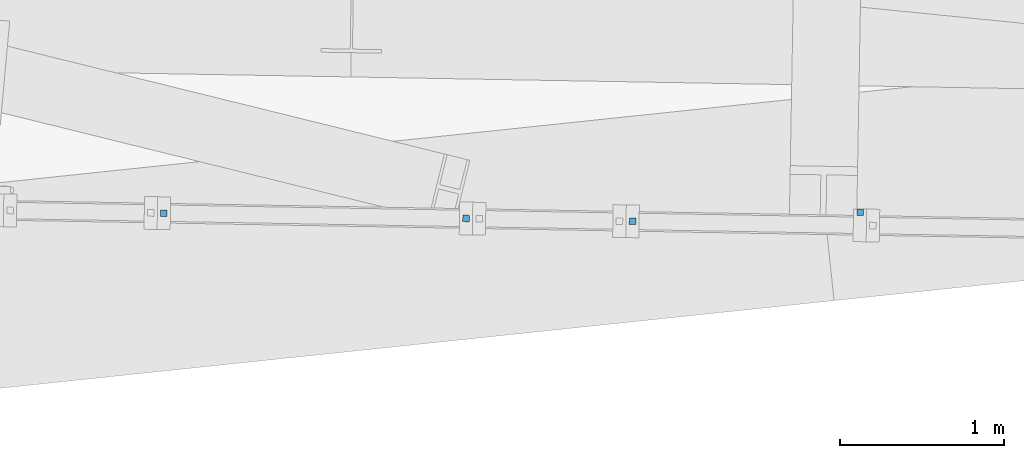
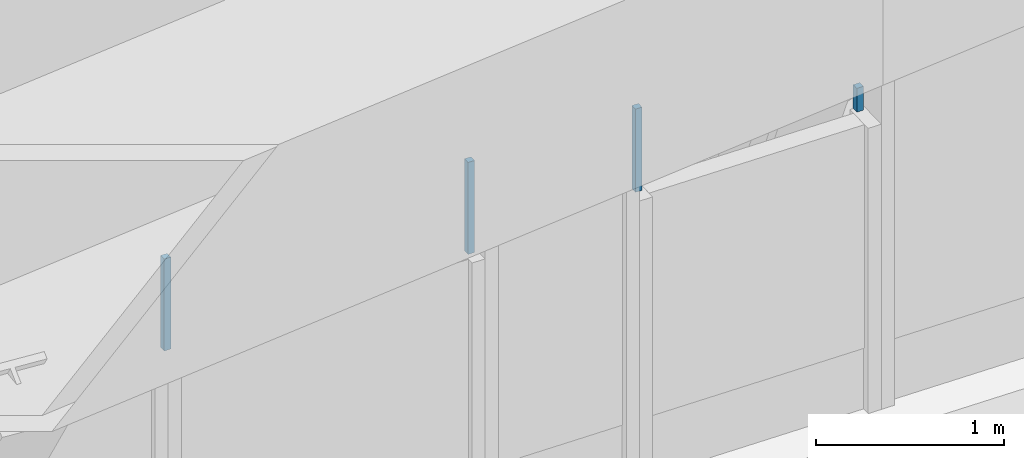
# One storey, part 20 of 28: 4 discrete accessories.
"""IFC4 building model written with IfcOpenShell, lengths in metres."""

import ifcopenshell
import ifcopenshell.guid

model = None  # the IFC model being written
_history = None  # IfcOwnerHistory: only IFC2X3 demands one
_inside = {}  # id of a spatial element -> (the spatial element, [elements in it])
_under = {}  # id of a project, library or spatial element -> (it, [spatial elements below it])
_declared = {}  # id of a project -> (the project, [libraries it declares])
_typed = {}  # id of a type object -> (the type object, [elements of that type])
_made_of = {}  # id of a material, layer set ... -> (it, [elements and type objects made of it])


def new_model(schema):
    """Start an empty IFC model of exactly this schema.

    Asked for "IFC4X3", IfcOpenShell would pick the latest addendum, in which some entities
    have other attributes; the version numbers below select the first issue.
    IFC2X3 requires an IfcOwnerHistory on every rooted entity: one is made here for all.
    """
    global model, _history
    if schema == "IFC4X3":
        model = ifcopenshell.file(schema_version=(4, 3, 0, 0))
    else:
        model = ifcopenshell.file(schema=schema)
    _inside.clear()
    _under.clear()
    _declared.clear()
    _typed.clear()
    _made_of.clear()
    _history = None
    if model.schema == "IFC2X3":
        org = make("IfcOrganization", Name="unknown")
        user = make(
            "IfcPersonAndOrganization",
            ThePerson=make("IfcPerson", FamilyName="unknown"),
            TheOrganization=org,
        )
        app = make(
            "IfcApplication",
            ApplicationDeveloper=org,
            Version="unknown",
            ApplicationFullName="unknown",
            ApplicationIdentifier="unknown",
        )
        _history = make(
            "IfcOwnerHistory",
            OwningUser=user,
            OwningApplication=app,
            ChangeAction="ADDED",
            CreationDate=0,
        )
    return model


def make(cls, **values):
    """One entity of the class cls with the attributes given. An attribute that is None is left unset."""
    return model.create_entity(
        cls, **{name: value for name, value in values.items() if value is not None}
    )


def rooted(cls, **values):
    """An entity with a GlobalId (a new one), such as an element, a storey or a relation."""
    return make(cls, GlobalId=ifcopenshell.guid.new(), OwnerHistory=_history, **values)


def si_unit(unit_type, name, prefix=None):
    """IfcSIUnit, for example si_unit("LENGTHUNIT", "METRE", prefix="MILLI")."""
    return make("IfcSIUnit", UnitType=unit_type, Prefix=prefix, Name=name)


def assignment(units):
    """IfcUnitAssignment: the units of a project."""
    return None if units is None else make("IfcUnitAssignment", Units=units)


def point(xyz):
    """IfcCartesianPoint."""
    return None if xyz is None else make("IfcCartesianPoint", Coordinates=xyz)


def direction(xyz):
    """IfcDirection."""
    return None if xyz is None else make("IfcDirection", DirectionRatios=xyz)


def frame(location, z_axis=None, x_axis=None):
    """IfcAxis2Placement3D, a coordinate frame: its origin and axes. An axis left out is left unset."""
    return make(
        "IfcAxis2Placement3D",
        Location=point(location),
        Axis=direction(z_axis),
        RefDirection=direction(x_axis),
    )


def frame_2d(location, x_axis=None):
    """IfcAxis2Placement2D, a coordinate frame in the plane: its origin and x axis."""
    return make(
        "IfcAxis2Placement2D", Location=point(location), RefDirection=direction(x_axis)
    )


def origin():
    """The frame at (0, 0, 0) with its axes left unset."""
    return frame((0.0, 0.0, 0.0))


def origin_2d():
    """The frame at (0, 0) in the plane with its x axis left unset."""
    return frame_2d((0.0, 0.0))


def place(relative_to, where):
    """IfcLocalPlacement: puts the frame where relative to a parent placement (None: the world)."""
    return make(
        "IfcLocalPlacement", PlacementRelTo=relative_to, RelativePlacement=where
    )


def context(
    kind, dimensions, precision=None, world=None, true_north=None, identifier=None
):
    """IfcGeometricRepresentationContext, for example the 3D "Model" context."""
    return make(
        "IfcGeometricRepresentationContext",
        ContextIdentifier=identifier,
        ContextType=kind,
        CoordinateSpaceDimension=dimensions,
        Precision=precision,
        WorldCoordinateSystem=world,
        TrueNorth=true_north,
    )


def subcontext(parent, identifier, kind, view, scale=None):
    """IfcGeometricRepresentationSubContext, for example "Body" below "Model"."""
    return make(
        "IfcGeometricRepresentationSubContext",
        ContextIdentifier=identifier,
        ContextType=kind,
        ParentContext=parent,
        TargetScale=scale,
        TargetView=view,
    )


def project(units=None, contexts=None):
    """IfcProject with its units and contexts."""
    return rooted(
        "IfcProject",
        Name="project",
        RepresentationContexts=contexts,
        UnitsInContext=assignment(units),
    )


def spatial(cls, under=None, at=None, **own):
    """A site, building, storey or space (cls), placed at a placement, below another one or the project."""
    s = rooted(cls, ObjectPlacement=at, **own)
    if under is not None:
        _under.setdefault(under.id(), (under, []))[1].append(s)
    return s


def profile(cls, at=None, kind="AREA", **sizes):
    """A parametric profile (cls). Its sizes go by their IFC names, for example OverallWidth=200.0."""
    return make(cls, ProfileType=kind, Position=at, **sizes)


def rectangle(**sizes):
    """IfcRectangleProfileDef."""
    return profile("IfcRectangleProfileDef", **sizes)


def extrude(swept, where, along, depth):
    """IfcExtrudedAreaSolid: the profile swept, set in the frame where, extruded along a direction by depth."""
    return make(
        "IfcExtrudedAreaSolid",
        SweptArea=swept,
        Position=where,
        ExtrudedDirection=direction(along),
        Depth=depth,
    )


def shape(context_of_items, identifier, shape_type, items):
    """IfcShapeRepresentation: the items that make up one representation, for example the "Body"."""
    return make(
        "IfcShapeRepresentation",
        ContextOfItems=context_of_items,
        RepresentationIdentifier=identifier,
        RepresentationType=shape_type,
        Items=items,
    )


def source(mapping_origin, context_of_items, identifier, shape_type, items):
    """IfcRepresentationMap: a shape defined once, which mapped items show again and again."""
    return make(
        "IfcRepresentationMap",
        MappingOrigin=mapping_origin,
        MappedRepresentation=shape(context_of_items, identifier, shape_type, items),
    )


def transform(
    local_origin,
    x_axis=None,
    y_axis=None,
    z_axis=None,
    scale=None,
    scale2=None,
    scale3=None,
    uniform=True,
):
    """IfcCartesianTransformationOperator3D, or its non-uniform kind. x_axis, y_axis, z_axis: its Axis1, 2, 3."""
    if uniform:
        return make(
            "IfcCartesianTransformationOperator3D",
            Axis1=direction(x_axis),
            Axis2=direction(y_axis),
            LocalOrigin=point(local_origin),
            Scale=scale,
            Axis3=direction(z_axis),
        )
    return make(
        "IfcCartesianTransformationOperator3DnonUniform",
        Axis1=direction(x_axis),
        Axis2=direction(y_axis),
        LocalOrigin=point(local_origin),
        Scale=scale,
        Axis3=direction(z_axis),
        Scale2=scale2,
        Scale3=scale3,
    )


def mapped(mapping_source, mapping_target):
    """IfcMappedItem: shows the shape of a source again, moved by a transform."""
    return make(
        "IfcMappedItem", MappingSource=mapping_source, MappingTarget=mapping_target
    )


def material(Name=None, Category=None):
    """IfcMaterial."""
    return make("IfcMaterial", Name=Name, Category=Category)


def made_of(thing, what):
    """Note that an element or type object is made of a material, layer set ...; save() writes the relation."""
    if what is not None:
        _made_of.setdefault(what.id(), (what, []))[1].append(thing)
    return thing


def element(
    cls,
    number,
    at=None,
    inside=None,
    cuts=None,
    type_object=None,
    material=None,
    context=None,
    identifier="Body",
    shape_type=None,
    held_by="IfcProductDefinitionShape",
    body=None,
    shapes=None,
    **own,
):
    """One element of the class cls, such as IfcWall. Its Tag is "e" and its number.

    at: its placement. inside: the storey or other place that contains it. cuts: it is an
    opening in that element (IfcRelVoidsElement). A single representation is given by context,
    identifier, shape_type and body (its items); several are given by shapes. held_by: the class
    of the entity that holds the representations. save() writes the other relations.
    """
    e = rooted(cls, Tag="e%d" % number, ObjectPlacement=at, **own)
    if body is not None:
        shapes = [shape(context, identifier, shape_type, body)]
    if shapes is not None:
        e.Representation = make(held_by, Representations=shapes)
    if inside is not None:
        _inside.setdefault(inside.id(), (inside, []))[1].append(e)
    if cuts is not None:
        rooted(
            "IfcRelVoidsElement", RelatingBuildingElement=cuts, RelatedOpeningElement=e
        )
    if type_object is not None:
        _typed.setdefault(type_object.id(), (type_object, []))[1].append(e)
    return made_of(e, material)


def aggregate(whole, parts):
    """IfcRelAggregates: a whole, such as a stair, and the parts it consists of."""
    return rooted("IfcRelAggregates", RelatingObject=whole, RelatedObjects=parts)


def save(model, path):
    """Write the relations noted so far, then the file.

    IfcRelAggregates (storeys below a building ...), IfcRelContainedInSpatialStructure (elements
    in a storey), IfcRelDefinesByType, IfcRelAssociatesMaterial and IfcRelDeclares: one each for
    every whole, place, type object, material and project.
    """
    for whole, parts in _under.values():
        aggregate(whole, parts)
    for where, things in _inside.values():
        rooted(
            "IfcRelContainedInSpatialStructure",
            RelatedElements=things,
            RelatingStructure=where,
        )
    for kind, things in _typed.values():
        rooted("IfcRelDefinesByType", RelatedObjects=things, RelatingType=kind)
    for what, things in _made_of.values():
        rooted("IfcRelAssociatesMaterial", RelatedObjects=things, RelatingMaterial=what)
    for by, libraries in _declared.values():
        rooted("IfcRelDeclares", RelatingContext=by, RelatedDefinitions=libraries)
    model.write(path)


model = new_model("IFC4")

# Units and contexts
model_context = context("Model", 3, precision=1e-05, world=origin(), true_north=direction((0.0, 1.0)))
body_context = subcontext(model_context, "Body", "Model", "MODEL_VIEW")
ifc_project = project(units=[si_unit("LENGTHUNIT", "METRE"), si_unit("AREAUNIT", "SQUARE_METRE"), si_unit("VOLUMEUNIT", "CUBIC_METRE"), si_unit("PLANEANGLEUNIT", "RADIAN"), si_unit("MASSUNIT", "GRAM", prefix="KILO")], contexts=[model_context])

# Site, building, storey
site_placement = place(None, origin())
site = spatial("IfcSite", under=ifc_project, at=site_placement, CompositionType="ELEMENT")
building_placement = place(site_placement, origin())
building = spatial("IfcBuilding", under=site, at=building_placement, Name="Triune Harvest Tower", CompositionType="ELEMENT")
storey_placement = place(building_placement, frame((0.0, 0.0, 215.89990234375)))
storey = spatial("IfcBuildingStorey", under=building, at=storey_placement, Name="L56", CompositionType="ELEMENT", Elevation=215.89990234375)

# Discrete accessories
ifc_material = material(Name="Steel ASTM A992 Gr 50", Category="steel")
shared_shape_1 = source(origin(), body_context, "Body", "SweptSolid", [
    extrude(rectangle(XDim=0.0400390625, YDim=0.0400390625, at=origin_2d()), origin(), (0.0, 0.0, 1.0), 0.539794921875),
])
discrete_accessory_1_placement = place(storey_placement, frame((-14.476806640625, -20.427490234375, 1.8505859375), z_axis=(0.0, 0.0, 1.0), x_axis=(0.999848151717, -0.01742623048, 0.0)))
element("IfcDiscreteAccessory", 1, at=discrete_accessory_1_placement, inside=storey, material=ifc_material, Name="Mullion end bracket B5-F5 L56.901 upper", ObjectType="BRACKET", PredefinedType="USERDEFINED", context=body_context, shape_type="MappedRepresentation", body=[
    mapped(shared_shape_1, transform((0.0, 0.0, 0.0), scale=1.0)),
])
shared_shape_2 = source(origin(), body_context, "Body", "SweptSolid", [
    extrude(rectangle(XDim=0.0400390625, YDim=0.0400390625, at=origin_2d()), origin(), (0.0, 0.0, 1.0), 0.59619140625),
])
for number, where, z_axis, x_axis, name in (
    (2, (-17.340087890625, -20.377685546875, 1.793701171875), (0.0, 0.0, 1.0), (0.999847816973, -0.017445426183, 0.0), "Mullion end bracket B5-F5 L56.701 upper"),
    (3, (-15.494140625, -20.409912109375, 1.793701171875), (0.0, 0.0, 1.0), (0.999847816973, -0.017445426183, 0.0), "Mullion end bracket B5-F5 L56.701 upper"),
):
    element("IfcDiscreteAccessory", number, at=place(storey_placement, frame(where, z_axis=z_axis, x_axis=x_axis)), inside=storey, material=ifc_material, Name=name, ObjectType="BRACKET", PredefinedType="USERDEFINED", context=body_context, shape_type="MappedRepresentation", body=[
        mapped(shared_shape_2, transform((0.0, 0.0, 0.0), scale=1.0)),
    ])
discrete_accessory_2_placement = place(storey_placement, frame((-13.08642578125, -20.371826171875, 1.8505859375), z_axis=(0.0, 0.0, 1.0), x_axis=(0.999848151717, -0.01742623048, 0.0)))
element("IfcDiscreteAccessory", 4, at=discrete_accessory_2_placement, inside=storey, material=ifc_material, Name="Mullion end bracket B5-F5 L56.901 upper", ObjectType="BRACKET", PredefinedType="USERDEFINED", context=body_context, shape_type="SweptSolid", body=[
    extrude(rectangle(XDim=0.0400390625, YDim=0.0400390625, at=origin_2d()), origin(), (0.0, 0.0, 1.0), 0.154541015625),
])

save(model, "model.ifc")
